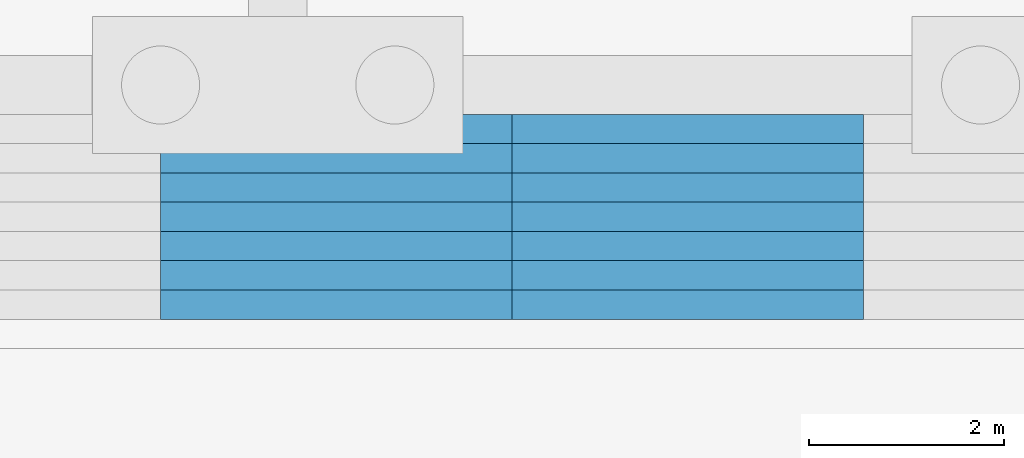
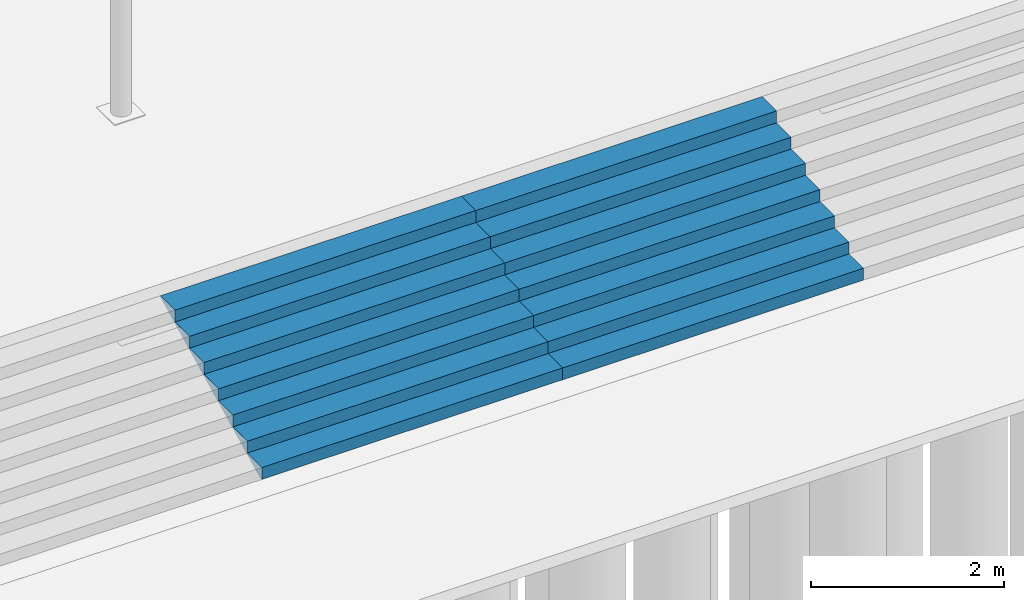
# One storey, part 76 of 129: 2 stair flights, 1 element without a shape of its own.
"""IFC4 building model written with IfcOpenShell, lengths in metres."""

import ifcopenshell
import ifcopenshell.guid

model = None  # the IFC model being written
_history = None  # IfcOwnerHistory: only IFC2X3 demands one
_inside = {}  # id of a spatial element -> (the spatial element, [elements in it])
_under = {}  # id of a project, library or spatial element -> (it, [spatial elements below it])
_declared = {}  # id of a project -> (the project, [libraries it declares])
_typed = {}  # id of a type object -> (the type object, [elements of that type])
_made_of = {}  # id of a material, layer set ... -> (it, [elements and type objects made of it])


def new_model(schema):
    """Start an empty IFC model of exactly this schema.

    Asked for "IFC4X3", IfcOpenShell would pick the latest addendum, in which some entities
    have other attributes; the version numbers below select the first issue.
    IFC2X3 requires an IfcOwnerHistory on every rooted entity: one is made here for all.
    """
    global model, _history
    if schema == "IFC4X3":
        model = ifcopenshell.file(schema_version=(4, 3, 0, 0))
    else:
        model = ifcopenshell.file(schema=schema)
    _inside.clear()
    _under.clear()
    _declared.clear()
    _typed.clear()
    _made_of.clear()
    _history = None
    if model.schema == "IFC2X3":
        org = make("IfcOrganization", Name="unknown")
        user = make(
            "IfcPersonAndOrganization",
            ThePerson=make("IfcPerson", FamilyName="unknown"),
            TheOrganization=org,
        )
        app = make(
            "IfcApplication",
            ApplicationDeveloper=org,
            Version="unknown",
            ApplicationFullName="unknown",
            ApplicationIdentifier="unknown",
        )
        _history = make(
            "IfcOwnerHistory",
            OwningUser=user,
            OwningApplication=app,
            ChangeAction="ADDED",
            CreationDate=0,
        )
    return model


def make(cls, **values):
    """One entity of the class cls with the attributes given. An attribute that is None is left unset."""
    return model.create_entity(
        cls, **{name: value for name, value in values.items() if value is not None}
    )


def rooted(cls, **values):
    """An entity with a GlobalId (a new one), such as an element, a storey or a relation."""
    return make(cls, GlobalId=ifcopenshell.guid.new(), OwnerHistory=_history, **values)


def si_unit(unit_type, name, prefix=None):
    """IfcSIUnit, for example si_unit("LENGTHUNIT", "METRE", prefix="MILLI")."""
    return make("IfcSIUnit", UnitType=unit_type, Prefix=prefix, Name=name)


def assignment(units):
    """IfcUnitAssignment: the units of a project."""
    return None if units is None else make("IfcUnitAssignment", Units=units)


def point(xyz):
    """IfcCartesianPoint."""
    return None if xyz is None else make("IfcCartesianPoint", Coordinates=xyz)


def direction(xyz):
    """IfcDirection."""
    return None if xyz is None else make("IfcDirection", DirectionRatios=xyz)


def frame(location, z_axis=None, x_axis=None):
    """IfcAxis2Placement3D, a coordinate frame: its origin and axes. An axis left out is left unset."""
    return make(
        "IfcAxis2Placement3D",
        Location=point(location),
        Axis=direction(z_axis),
        RefDirection=direction(x_axis),
    )


def origin():
    """The frame at (0, 0, 0) with its axes left unset."""
    return frame((0.0, 0.0, 0.0))


def place(relative_to, where):
    """IfcLocalPlacement: puts the frame where relative to a parent placement (None: the world)."""
    return make(
        "IfcLocalPlacement", PlacementRelTo=relative_to, RelativePlacement=where
    )


def context(
    kind, dimensions, precision=None, world=None, true_north=None, identifier=None
):
    """IfcGeometricRepresentationContext, for example the 3D "Model" context."""
    return make(
        "IfcGeometricRepresentationContext",
        ContextIdentifier=identifier,
        ContextType=kind,
        CoordinateSpaceDimension=dimensions,
        Precision=precision,
        WorldCoordinateSystem=world,
        TrueNorth=true_north,
    )


def subcontext(parent, identifier, kind, view, scale=None):
    """IfcGeometricRepresentationSubContext, for example "Body" below "Model"."""
    return make(
        "IfcGeometricRepresentationSubContext",
        ContextIdentifier=identifier,
        ContextType=kind,
        ParentContext=parent,
        TargetScale=scale,
        TargetView=view,
    )


def project(units=None, contexts=None):
    """IfcProject with its units and contexts."""
    return rooted(
        "IfcProject",
        Name="project",
        RepresentationContexts=contexts,
        UnitsInContext=assignment(units),
    )


def spatial(cls, under=None, at=None, **own):
    """A site, building, storey or space (cls), placed at a placement, below another one or the project."""
    s = rooted(cls, ObjectPlacement=at, **own)
    if under is not None:
        _under.setdefault(under.id(), (under, []))[1].append(s)
    return s


def faces_of(points, faces, orient=None, outer=None):
    """IfcFace entities. A face is a list of loops; a loop is a list of indices into points, from 0.

    orient and outer hold one flag for each loop. By default every Orientation is true, the
    first loop of a face is its IfcFaceOuterBound and the others are IfcFaceBound.
    """
    made = []
    for i, loops in enumerate(faces):
        bounds = []
        for j, loop in enumerate(loops):
            is_outer = j == 0 if outer is None else outer[i][j]
            bounds.append(
                make(
                    "IfcFaceOuterBound" if is_outer else "IfcFaceBound",
                    Bound=make("IfcPolyLoop", Polygon=[points[k] for k in loop]),
                    Orientation=True if orient is None else orient[i][j],
                )
            )
        made.append(make("IfcFace", Bounds=bounds))
    return made


def faceted_brep(points, faces, orient=None, outer=None, voids=None):
    """IfcFacetedBrep: a solid bounded by flat faces; with voids (closed shells), ...WithVoids."""
    shared = [point(p) for p in points]
    hull = make("IfcClosedShell", CfsFaces=faces_of(shared, faces, orient, outer))
    if voids is None:
        return make("IfcFacetedBrep", Outer=hull)
    return make(
        "IfcFacetedBrepWithVoids",
        Outer=hull,
        Voids=[
            make(cls, CfsFaces=faces_of(shared, fs, o, b)) for cls, fs, o, b in voids
        ],
    )


def shape(context_of_items, identifier, shape_type, items):
    """IfcShapeRepresentation: the items that make up one representation, for example the "Body"."""
    return make(
        "IfcShapeRepresentation",
        ContextOfItems=context_of_items,
        RepresentationIdentifier=identifier,
        RepresentationType=shape_type,
        Items=items,
    )


def material(Name=None, Category=None):
    """IfcMaterial."""
    return make("IfcMaterial", Name=Name, Category=Category)


def made_of(thing, what):
    """Note that an element or type object is made of a material, layer set ...; save() writes the relation."""
    if what is not None:
        _made_of.setdefault(what.id(), (what, []))[1].append(thing)
    return thing


def type_object(cls, material=None, **own):
    """A type object (cls), such as IfcWallType, which elements share."""
    return made_of(rooted(cls, **own), material)


def element(
    cls,
    number,
    at=None,
    inside=None,
    cuts=None,
    type_object=None,
    material=None,
    context=None,
    identifier="Body",
    shape_type=None,
    held_by="IfcProductDefinitionShape",
    body=None,
    shapes=None,
    **own,
):
    """One element of the class cls, such as IfcWall. Its Tag is "e" and its number.

    at: its placement. inside: the storey or other place that contains it. cuts: it is an
    opening in that element (IfcRelVoidsElement). A single representation is given by context,
    identifier, shape_type and body (its items); several are given by shapes. held_by: the class
    of the entity that holds the representations. save() writes the other relations.
    """
    e = rooted(cls, Tag="e%d" % number, ObjectPlacement=at, **own)
    if body is not None:
        shapes = [shape(context, identifier, shape_type, body)]
    if shapes is not None:
        e.Representation = make(held_by, Representations=shapes)
    if inside is not None:
        _inside.setdefault(inside.id(), (inside, []))[1].append(e)
    if cuts is not None:
        rooted(
            "IfcRelVoidsElement", RelatingBuildingElement=cuts, RelatedOpeningElement=e
        )
    if type_object is not None:
        _typed.setdefault(type_object.id(), (type_object, []))[1].append(e)
    return made_of(e, material)


def aggregate(whole, parts):
    """IfcRelAggregates: a whole, such as a stair, and the parts it consists of."""
    return rooted("IfcRelAggregates", RelatingObject=whole, RelatedObjects=parts)


def save(model, path):
    """Write the relations noted so far, then the file.

    IfcRelAggregates (storeys below a building ...), IfcRelContainedInSpatialStructure (elements
    in a storey), IfcRelDefinesByType, IfcRelAssociatesMaterial and IfcRelDeclares: one each for
    every whole, place, type object, material and project.
    """
    for whole, parts in _under.values():
        aggregate(whole, parts)
    for where, things in _inside.values():
        rooted(
            "IfcRelContainedInSpatialStructure",
            RelatedElements=things,
            RelatingStructure=where,
        )
    for kind, things in _typed.values():
        rooted("IfcRelDefinesByType", RelatedObjects=things, RelatingType=kind)
    for what, things in _made_of.values():
        rooted("IfcRelAssociatesMaterial", RelatedObjects=things, RelatingMaterial=what)
    for by, libraries in _declared.values():
        rooted("IfcRelDeclares", RelatingContext=by, RelatedDefinitions=libraries)
    model.write(path)


model = new_model("IFC4")

# Units and contexts
model_context = context("Model", 3, precision=1e-05, world=origin(), true_north=direction((0.0, 1.0)))
body_context = subcontext(model_context, "Body", "Model", "MODEL_VIEW")
ifc_project = project(units=[si_unit("LENGTHUNIT", "METRE"), si_unit("AREAUNIT", "SQUARE_METRE"), si_unit("VOLUMEUNIT", "CUBIC_METRE"), si_unit("PLANEANGLEUNIT", "RADIAN"), si_unit("MASSUNIT", "GRAM", prefix="KILO")], contexts=[model_context])

# Site, building, storey
site_placement = place(None, origin())
site = spatial("IfcSite", under=ifc_project, at=site_placement, CompositionType="ELEMENT")
building_placement = place(site_placement, origin())
building = spatial("IfcBuilding", under=site, at=building_placement, Name="Kiln Court Media Centre", CompositionType="ELEMENT")
storey_placement = place(building_placement, origin())
storey = spatial("IfcBuildingStorey", under=building, at=storey_placement, Name="L00", CompositionType="ELEMENT", Elevation=0.0)

# Stair, stair flights
ifc_material_1 = material(Name="Concrete C30/37", Category="concrete")
stair_type = type_object("IfcStairType", Name="Concrete C30/37 forecourt steps", PredefinedType="STRAIGHT_RUN_STAIR", material=ifc_material_1)
stair_placement = place(storey_placement, origin())
stair = element("IfcStair", 1, at=stair_placement, inside=storey, type_object=stair_type, Name="Concrete C30/37 forecourt steps", PredefinedType="STRAIGHT_RUN_STAIR")
ifc_material_2 = material(Name="Concrete C30/37", Category="concrete")
stair_flight_type = type_object("IfcStairFlightType", Name="Concrete C30/37 forecourt steps flight", PredefinedType="STRAIGHT", material=ifc_material_2)
stair_flight_1_placement = place(storey_placement, frame((76.199951171875, 16.199951171875, -1.199951171875), z_axis=(0.0, 0.0, 1.0), x_axis=(0.0, 1.0, 0.0)))
stair_flight_1 = element("IfcStairFlight", 2, at=stair_flight_1_placement, type_object=stair_flight_type, Name="ST-E1 flight 3", NumberOfRisers=8, NumberOfTreads=7, PredefinedType="STRAIGHT", RiserHeight=0.15, TreadLength=0.3, context=body_context, shape_type="Brep", body=[
    faceted_brep([(0.044677734375, -1.800048828125, 0.0), (2.10009765625, -1.800048828125, 1.027587890625), (2.10009765625, -1.800048828125, 1.050048828125), (1.800048828125, -1.800048828125, 1.050048828125), (1.800048828125, -1.800048828125, 0.89990234375), (1.5, -1.800048828125, 0.89990234375), (1.5, -1.800048828125, 0.75), (1.199951171875, -1.800048828125, 0.75), (1.199951171875, -1.800048828125, 0.60009765625), (0.89990234375, -1.800048828125, 0.60009765625), (0.89990234375, -1.800048828125, 0.449951171875), (0.60009765625, -1.800048828125, 0.449951171875), (0.60009765625, -1.800048828125, 0.300048828125), (0.300048828125, -1.800048828125, 0.300048828125), (0.300048828125, -1.800048828125, 0.14990234375), (0.0, -1.800048828125, 0.14990234375), (0.0, -1.800048828125, 0.0), (0.0, 1.800048828125, 0.0), (0.0, 1.800048828125, 0.14990234375), (0.300048828125, 1.800048828125, 0.14990234375), (0.300048828125, 1.800048828125, 0.300048828125), (0.60009765625, 1.800048828125, 0.300048828125), (0.60009765625, 1.800048828125, 0.449951171875), (0.89990234375, 1.800048828125, 0.449951171875), (0.89990234375, 1.800048828125, 0.60009765625), (1.199951171875, 1.800048828125, 0.60009765625), (1.199951171875, 1.800048828125, 0.75), (1.5, 1.800048828125, 0.75), (1.5, 1.800048828125, 0.89990234375), (1.800048828125, 1.800048828125, 0.89990234375), (1.800048828125, 1.800048828125, 1.050048828125), (2.10009765625, 1.800048828125, 1.050048828125), (2.10009765625, 1.800048828125, 1.027587890625), (0.044677734375, 1.800048828125, 0.0), (2.10009765625, 0.10009765625, 1.027587890625), (0.044677734375, 0.10009765625, 0.0), (2.10009765625, 0.080078125, 1.027587890625), (0.044677734375, 0.080078125, 0.0), (2.10009765625, 0.06005859375, 1.027587890625), (0.044677734375, 0.06005859375, 0.0), (2.10009765625, 0.0400390625, 1.027587890625), (0.044677734375, 0.0400390625, 0.0), (2.10009765625, 0.02001953125, 1.027587890625), (0.044677734375, 0.02001953125, 0.0), (2.10009765625, 0.0, 1.027587890625), (0.044677734375, 0.0, 0.0), (2.10009765625, -0.02001953125, 1.027587890625), (0.044677734375, -0.02001953125, 0.0), (2.10009765625, -0.0400390625, 1.027587890625), (0.044677734375, -0.0400390625, 0.0), (2.10009765625, -0.06005859375, 1.027587890625), (0.044677734375, -0.06005859375, 0.0), (2.10009765625, -0.080078125, 1.027587890625), (0.044677734375, -0.080078125, 0.0), (2.10009765625, -0.10009765625, 1.027587890625), (0.044677734375, -0.10009765625, 0.0), (2.10009765625, 0.10009765625, 1.050048828125), (2.10009765625, 0.080078125, 1.050048828125), (2.10009765625, 0.06005859375, 1.050048828125), (2.10009765625, 0.0400390625, 1.050048828125), (2.10009765625, 0.02001953125, 1.050048828125), (2.10009765625, 0.0, 1.050048828125), (2.10009765625, -0.02001953125, 1.050048828125), (2.10009765625, -0.0400390625, 1.050048828125), (2.10009765625, -0.06005859375, 1.050048828125), (2.10009765625, -0.080078125, 1.050048828125), (2.10009765625, -0.10009765625, 1.050048828125), (1.800048828125, 0.10009765625, 1.050048828125), (1.800048828125, 0.080078125, 1.050048828125), (1.800048828125, 0.06005859375, 1.050048828125), (1.800048828125, 0.0400390625, 1.050048828125), (1.800048828125, 0.02001953125, 1.050048828125), (1.800048828125, 0.0, 1.050048828125), (1.800048828125, -0.02001953125, 1.050048828125), (1.800048828125, -0.0400390625, 1.050048828125), (1.800048828125, -0.06005859375, 1.050048828125), (1.800048828125, -0.080078125, 1.050048828125), (1.800048828125, -0.10009765625, 1.050048828125), (1.800048828125, 0.10009765625, 0.89990234375), (1.800048828125, 0.080078125, 0.89990234375), (1.800048828125, 0.06005859375, 0.89990234375), (1.800048828125, 0.0400390625, 0.89990234375), (1.800048828125, 0.02001953125, 0.89990234375), (1.800048828125, 0.0, 0.89990234375), (1.800048828125, -0.02001953125, 0.89990234375), (1.800048828125, -0.0400390625, 0.89990234375), (1.800048828125, -0.06005859375, 0.89990234375), (1.800048828125, -0.080078125, 0.89990234375), (1.800048828125, -0.10009765625, 0.89990234375), (1.5, 0.10009765625, 0.89990234375), (1.5, 0.080078125, 0.89990234375), (1.5, 0.06005859375, 0.89990234375), (1.5, 0.0400390625, 0.89990234375), (1.5, 0.02001953125, 0.89990234375), (1.5, 0.0, 0.89990234375), (1.5, -0.02001953125, 0.89990234375), (1.5, -0.0400390625, 0.89990234375), (1.5, -0.06005859375, 0.89990234375), (1.5, -0.080078125, 0.89990234375), (1.5, -0.10009765625, 0.89990234375), (1.5, 0.10009765625, 0.75), (1.5, 0.080078125, 0.75), (1.5, 0.06005859375, 0.75), (1.5, 0.0400390625, 0.75), (1.5, 0.02001953125, 0.75), (1.5, 0.0, 0.75), (1.5, -0.02001953125, 0.75), (1.5, -0.0400390625, 0.75), (1.5, -0.06005859375, 0.75), (1.5, -0.080078125, 0.75), (1.5, -0.10009765625, 0.75), (1.199951171875, 0.10009765625, 0.75), (1.199951171875, 0.080078125, 0.75), (1.199951171875, 0.06005859375, 0.75), (1.199951171875, 0.0400390625, 0.75), (1.199951171875, 0.02001953125, 0.75), (1.199951171875, 0.0, 0.75), (1.199951171875, -0.02001953125, 0.75), (1.199951171875, -0.0400390625, 0.75), (1.199951171875, -0.06005859375, 0.75), (1.199951171875, -0.080078125, 0.75), (1.199951171875, -0.10009765625, 0.75), (1.199951171875, 0.10009765625, 0.60009765625), (1.199951171875, 0.080078125, 0.60009765625), (1.199951171875, 0.06005859375, 0.60009765625), (1.199951171875, 0.0400390625, 0.60009765625), (1.199951171875, 0.02001953125, 0.60009765625), (1.199951171875, 0.0, 0.60009765625), (1.199951171875, -0.02001953125, 0.60009765625), (1.199951171875, -0.0400390625, 0.60009765625), (1.199951171875, -0.06005859375, 0.60009765625), (1.199951171875, -0.080078125, 0.60009765625), (1.199951171875, -0.10009765625, 0.60009765625), (0.89990234375, 0.10009765625, 0.60009765625), (0.89990234375, 0.080078125, 0.60009765625), (0.89990234375, 0.06005859375, 0.60009765625), (0.89990234375, 0.0400390625, 0.60009765625), (0.89990234375, 0.02001953125, 0.60009765625), (0.89990234375, 0.0, 0.60009765625), (0.89990234375, -0.02001953125, 0.60009765625), (0.89990234375, -0.0400390625, 0.60009765625), (0.89990234375, -0.06005859375, 0.60009765625), (0.89990234375, -0.080078125, 0.60009765625), (0.89990234375, -0.10009765625, 0.60009765625), (0.89990234375, 0.10009765625, 0.449951171875), (0.89990234375, 0.080078125, 0.449951171875), (0.89990234375, 0.06005859375, 0.449951171875), (0.89990234375, 0.0400390625, 0.449951171875), (0.89990234375, 0.02001953125, 0.449951171875), (0.89990234375, 0.0, 0.449951171875), (0.89990234375, -0.02001953125, 0.449951171875), (0.89990234375, -0.0400390625, 0.449951171875), (0.89990234375, -0.06005859375, 0.449951171875), (0.89990234375, -0.080078125, 0.449951171875), (0.89990234375, -0.10009765625, 0.449951171875), (0.60009765625, 0.10009765625, 0.449951171875), (0.60009765625, 0.080078125, 0.449951171875), (0.60009765625, 0.06005859375, 0.449951171875), (0.60009765625, 0.0400390625, 0.449951171875), (0.60009765625, 0.02001953125, 0.449951171875), (0.60009765625, 0.0, 0.449951171875), (0.60009765625, -0.02001953125, 0.449951171875), (0.60009765625, -0.0400390625, 0.449951171875), (0.60009765625, -0.06005859375, 0.449951171875), (0.60009765625, -0.080078125, 0.449951171875), (0.60009765625, -0.10009765625, 0.449951171875), (0.60009765625, 0.10009765625, 0.300048828125), (0.60009765625, 0.080078125, 0.300048828125), (0.60009765625, 0.06005859375, 0.300048828125), (0.60009765625, 0.0400390625, 0.300048828125), (0.60009765625, 0.02001953125, 0.300048828125), (0.60009765625, 0.0, 0.300048828125), (0.60009765625, -0.02001953125, 0.300048828125), (0.60009765625, -0.0400390625, 0.300048828125), (0.60009765625, -0.06005859375, 0.300048828125), (0.60009765625, -0.080078125, 0.300048828125), (0.60009765625, -0.10009765625, 0.300048828125), (0.300048828125, 0.10009765625, 0.300048828125), (0.300048828125, 0.080078125, 0.300048828125), (0.300048828125, 0.06005859375, 0.300048828125), (0.300048828125, 0.0400390625, 0.300048828125), (0.300048828125, 0.02001953125, 0.300048828125), (0.300048828125, 0.0, 0.300048828125), (0.300048828125, -0.02001953125, 0.300048828125), (0.300048828125, -0.0400390625, 0.300048828125), (0.300048828125, -0.06005859375, 0.300048828125), (0.300048828125, -0.080078125, 0.300048828125), (0.300048828125, -0.10009765625, 0.300048828125), (0.300048828125, 0.10009765625, 0.14990234375), (0.300048828125, 0.080078125, 0.14990234375), (0.300048828125, 0.06005859375, 0.14990234375), (0.300048828125, 0.0400390625, 0.14990234375), (0.300048828125, 0.02001953125, 0.14990234375), (0.300048828125, 0.0, 0.14990234375), (0.300048828125, -0.02001953125, 0.14990234375), (0.300048828125, -0.0400390625, 0.14990234375), (0.300048828125, -0.06005859375, 0.14990234375), (0.300048828125, -0.080078125, 0.14990234375), (0.300048828125, -0.10009765625, 0.14990234375), (0.0, 0.10009765625, 0.14990234375), (0.0, 0.080078125, 0.14990234375), (0.0, 0.06005859375, 0.14990234375), (0.0, 0.0400390625, 0.14990234375), (0.0, 0.02001953125, 0.14990234375), (0.0, 0.0, 0.14990234375), (0.0, -0.02001953125, 0.14990234375), (0.0, -0.0400390625, 0.14990234375), (0.0, -0.06005859375, 0.14990234375), (0.0, -0.080078125, 0.14990234375), (0.0, -0.10009765625, 0.14990234375), (0.0, 0.10009765625, 0.0), (0.0, 0.080078125, 0.0), (0.0, 0.06005859375, 0.0), (0.0, 0.0400390625, 0.0), (0.0, 0.02001953125, 0.0), (0.0, 0.0, 0.0), (0.0, -0.02001953125, 0.0), (0.0, -0.0400390625, 0.0), (0.0, -0.06005859375, 0.0), (0.0, -0.080078125, 0.0), (0.0, -0.10009765625, 0.0)], [[[0, 1, 2, 3, 4, 5, 6, 7, 8, 9, 10, 11, 12, 13, 14, 15, 16]], [[17, 18, 19, 20, 21, 22, 23, 24, 25, 26, 27, 28, 29, 30, 31, 32, 33]], [[33, 32, 34, 35]], [[35, 34, 36, 37]], [[37, 36, 38, 39]], [[39, 38, 40, 41]], [[41, 40, 42, 43]], [[43, 42, 44, 45]], [[45, 44, 46, 47]], [[47, 46, 48, 49]], [[49, 48, 50, 51]], [[51, 50, 52, 53]], [[53, 52, 54, 55]], [[55, 54, 1, 0]], [[32, 31, 56, 34]], [[34, 56, 57, 36]], [[36, 57, 58, 38]], [[38, 58, 59, 40]], [[40, 59, 60, 42]], [[42, 60, 61, 44]], [[44, 61, 62, 46]], [[46, 62, 63, 48]], [[48, 63, 64, 50]], [[50, 64, 65, 52]], [[52, 65, 66, 54]], [[54, 66, 2, 1]], [[31, 30, 67, 56]], [[56, 67, 68, 57]], [[57, 68, 69, 58]], [[58, 69, 70, 59]], [[59, 70, 71, 60]], [[60, 71, 72, 61]], [[61, 72, 73, 62]], [[62, 73, 74, 63]], [[63, 74, 75, 64]], [[64, 75, 76, 65]], [[65, 76, 77, 66]], [[66, 77, 3, 2]], [[30, 29, 78, 67]], [[67, 78, 79, 68]], [[68, 79, 80, 69]], [[69, 80, 81, 70]], [[70, 81, 82, 71]], [[71, 82, 83, 72]], [[72, 83, 84, 73]], [[73, 84, 85, 74]], [[74, 85, 86, 75]], [[75, 86, 87, 76]], [[76, 87, 88, 77]], [[77, 88, 4, 3]], [[29, 28, 89, 78]], [[78, 89, 90, 79]], [[79, 90, 91, 80]], [[80, 91, 92, 81]], [[81, 92, 93, 82]], [[82, 93, 94, 83]], [[83, 94, 95, 84]], [[84, 95, 96, 85]], [[85, 96, 97, 86]], [[86, 97, 98, 87]], [[87, 98, 99, 88]], [[88, 99, 5, 4]], [[28, 27, 100, 89]], [[89, 100, 101, 90]], [[90, 101, 102, 91]], [[91, 102, 103, 92]], [[92, 103, 104, 93]], [[93, 104, 105, 94]], [[94, 105, 106, 95]], [[95, 106, 107, 96]], [[96, 107, 108, 97]], [[97, 108, 109, 98]], [[98, 109, 110, 99]], [[99, 110, 6, 5]], [[27, 26, 111, 100]], [[100, 111, 112, 101]], [[101, 112, 113, 102]], [[102, 113, 114, 103]], [[103, 114, 115, 104]], [[104, 115, 116, 105]], [[105, 116, 117, 106]], [[106, 117, 118, 107]], [[107, 118, 119, 108]], [[108, 119, 120, 109]], [[109, 120, 121, 110]], [[110, 121, 7, 6]], [[26, 25, 122, 111]], [[111, 122, 123, 112]], [[112, 123, 124, 113]], [[113, 124, 125, 114]], [[114, 125, 126, 115]], [[115, 126, 127, 116]], [[116, 127, 128, 117]], [[117, 128, 129, 118]], [[118, 129, 130, 119]], [[119, 130, 131, 120]], [[120, 131, 132, 121]], [[121, 132, 8, 7]], [[25, 24, 133, 122]], [[122, 133, 134, 123]], [[123, 134, 135, 124]], [[124, 135, 136, 125]], [[125, 136, 137, 126]], [[126, 137, 138, 127]], [[127, 138, 139, 128]], [[128, 139, 140, 129]], [[129, 140, 141, 130]], [[130, 141, 142, 131]], [[131, 142, 143, 132]], [[132, 143, 9, 8]], [[24, 23, 144, 133]], [[133, 144, 145, 134]], [[134, 145, 146, 135]], [[135, 146, 147, 136]], [[136, 147, 148, 137]], [[137, 148, 149, 138]], [[138, 149, 150, 139]], [[139, 150, 151, 140]], [[140, 151, 152, 141]], [[141, 152, 153, 142]], [[142, 153, 154, 143]], [[143, 154, 10, 9]], [[23, 22, 155, 144]], [[144, 155, 156, 145]], [[145, 156, 157, 146]], [[146, 157, 158, 147]], [[147, 158, 159, 148]], [[148, 159, 160, 149]], [[149, 160, 161, 150]], [[150, 161, 162, 151]], [[151, 162, 163, 152]], [[152, 163, 164, 153]], [[153, 164, 165, 154]], [[154, 165, 11, 10]], [[22, 21, 166, 155]], [[155, 166, 167, 156]], [[156, 167, 168, 157]], [[157, 168, 169, 158]], [[158, 169, 170, 159]], [[159, 170, 171, 160]], [[160, 171, 172, 161]], [[161, 172, 173, 162]], [[162, 173, 174, 163]], [[163, 174, 175, 164]], [[164, 175, 176, 165]], [[165, 176, 12, 11]], [[21, 20, 177, 166]], [[166, 177, 178, 167]], [[167, 178, 179, 168]], [[168, 179, 180, 169]], [[169, 180, 181, 170]], [[170, 181, 182, 171]], [[171, 182, 183, 172]], [[172, 183, 184, 173]], [[173, 184, 185, 174]], [[174, 185, 186, 175]], [[175, 186, 187, 176]], [[176, 187, 13, 12]], [[20, 19, 188, 177]], [[177, 188, 189, 178]], [[178, 189, 190, 179]], [[179, 190, 191, 180]], [[180, 191, 192, 181]], [[181, 192, 193, 182]], [[182, 193, 194, 183]], [[183, 194, 195, 184]], [[184, 195, 196, 185]], [[185, 196, 197, 186]], [[186, 197, 198, 187]], [[187, 198, 14, 13]], [[19, 18, 199, 188]], [[188, 199, 200, 189]], [[189, 200, 201, 190]], [[190, 201, 202, 191]], [[191, 202, 203, 192]], [[192, 203, 204, 193]], [[193, 204, 205, 194]], [[194, 205, 206, 195]], [[195, 206, 207, 196]], [[196, 207, 208, 197]], [[197, 208, 209, 198]], [[198, 209, 15, 14]], [[18, 17, 210, 199]], [[199, 210, 211, 200]], [[200, 211, 212, 201]], [[201, 212, 213, 202]], [[202, 213, 214, 203]], [[203, 214, 215, 204]], [[204, 215, 216, 205]], [[205, 216, 217, 206]], [[206, 217, 218, 207]], [[207, 218, 219, 208]], [[208, 219, 220, 209]], [[209, 220, 16, 15]], [[17, 33, 35, 210]], [[210, 35, 37, 211]], [[211, 37, 39, 212]], [[212, 39, 41, 213]], [[213, 41, 43, 214]], [[214, 43, 45, 215]], [[215, 45, 47, 216]], [[216, 47, 49, 217]], [[217, 49, 51, 218]], [[218, 51, 53, 219]], [[219, 53, 55, 220]], [[220, 55, 0, 16]]]),
])
stair_flight_2_placement = place(storey_placement, frame((79.800048828125, 16.199951171875, -1.199951171875), z_axis=(0.0, 0.0, 1.0), x_axis=(0.0, 1.0, 0.0)))
stair_flight_2 = element("IfcStairFlight", 3, at=stair_flight_2_placement, type_object=stair_flight_type, Name="ST-E1 flight 4", NumberOfRisers=8, NumberOfTreads=7, PredefinedType="STRAIGHT", RiserHeight=0.15, TreadLength=0.3, context=body_context, shape_type="Brep", body=[
    faceted_brep([(0.044677734375, -1.800048828125, 0.0), (2.10009765625, -1.800048828125, 1.027587890625), (2.10009765625, -1.800048828125, 1.050048828125), (1.800048828125, -1.800048828125, 1.050048828125), (1.800048828125, -1.800048828125, 0.89990234375), (1.5, -1.800048828125, 0.89990234375), (1.5, -1.800048828125, 0.75), (1.199951171875, -1.800048828125, 0.75), (1.199951171875, -1.800048828125, 0.60009765625), (0.89990234375, -1.800048828125, 0.60009765625), (0.89990234375, -1.800048828125, 0.449951171875), (0.60009765625, -1.800048828125, 0.449951171875), (0.60009765625, -1.800048828125, 0.300048828125), (0.300048828125, -1.800048828125, 0.300048828125), (0.300048828125, -1.800048828125, 0.14990234375), (0.0, -1.800048828125, 0.14990234375), (0.0, -1.800048828125, 0.0), (0.0, 1.800048828125, 0.0), (0.0, 1.800048828125, 0.14990234375), (0.300048828125, 1.800048828125, 0.14990234375), (0.300048828125, 1.800048828125, 0.300048828125), (0.60009765625, 1.800048828125, 0.300048828125), (0.60009765625, 1.800048828125, 0.449951171875), (0.89990234375, 1.800048828125, 0.449951171875), (0.89990234375, 1.800048828125, 0.60009765625), (1.199951171875, 1.800048828125, 0.60009765625), (1.199951171875, 1.800048828125, 0.75), (1.5, 1.800048828125, 0.75), (1.5, 1.800048828125, 0.89990234375), (1.800048828125, 1.800048828125, 0.89990234375), (1.800048828125, 1.800048828125, 1.050048828125), (2.10009765625, 1.800048828125, 1.050048828125), (2.10009765625, 1.800048828125, 1.027587890625), (0.044677734375, 1.800048828125, 0.0), (2.10009765625, 0.10009765625, 1.027587890625), (0.044677734375, 0.10009765625, 0.0), (2.10009765625, 0.080078125, 1.027587890625), (0.044677734375, 0.080078125, 0.0), (2.10009765625, 0.06005859375, 1.027587890625), (0.044677734375, 0.06005859375, 0.0), (2.10009765625, 0.0400390625, 1.027587890625), (0.044677734375, 0.0400390625, 0.0), (2.10009765625, 0.02001953125, 1.027587890625), (0.044677734375, 0.02001953125, 0.0), (2.10009765625, 0.0, 1.027587890625), (0.044677734375, 0.0, 0.0), (2.10009765625, -0.02001953125, 1.027587890625), (0.044677734375, -0.02001953125, 0.0), (2.10009765625, -0.0400390625, 1.027587890625), (0.044677734375, -0.0400390625, 0.0), (2.10009765625, -0.06005859375, 1.027587890625), (0.044677734375, -0.06005859375, 0.0), (2.10009765625, -0.080078125, 1.027587890625), (0.044677734375, -0.080078125, 0.0), (2.10009765625, -0.10009765625, 1.027587890625), (0.044677734375, -0.10009765625, 0.0), (2.10009765625, 0.10009765625, 1.050048828125), (2.10009765625, 0.080078125, 1.050048828125), (2.10009765625, 0.06005859375, 1.050048828125), (2.10009765625, 0.0400390625, 1.050048828125), (2.10009765625, 0.02001953125, 1.050048828125), (2.10009765625, 0.0, 1.050048828125), (2.10009765625, -0.02001953125, 1.050048828125), (2.10009765625, -0.0400390625, 1.050048828125), (2.10009765625, -0.06005859375, 1.050048828125), (2.10009765625, -0.080078125, 1.050048828125), (2.10009765625, -0.10009765625, 1.050048828125), (1.800048828125, 0.10009765625, 1.050048828125), (1.800048828125, 0.080078125, 1.050048828125), (1.800048828125, 0.06005859375, 1.050048828125), (1.800048828125, 0.0400390625, 1.050048828125), (1.800048828125, 0.02001953125, 1.050048828125), (1.800048828125, 0.0, 1.050048828125), (1.800048828125, -0.02001953125, 1.050048828125), (1.800048828125, -0.0400390625, 1.050048828125), (1.800048828125, -0.06005859375, 1.050048828125), (1.800048828125, -0.080078125, 1.050048828125), (1.800048828125, -0.10009765625, 1.050048828125), (1.800048828125, 0.10009765625, 0.89990234375), (1.800048828125, 0.080078125, 0.89990234375), (1.800048828125, 0.06005859375, 0.89990234375), (1.800048828125, 0.0400390625, 0.89990234375), (1.800048828125, 0.02001953125, 0.89990234375), (1.800048828125, 0.0, 0.89990234375), (1.800048828125, -0.02001953125, 0.89990234375), (1.800048828125, -0.0400390625, 0.89990234375), (1.800048828125, -0.06005859375, 0.89990234375), (1.800048828125, -0.080078125, 0.89990234375), (1.800048828125, -0.10009765625, 0.89990234375), (1.5, 0.10009765625, 0.89990234375), (1.5, 0.080078125, 0.89990234375), (1.5, 0.06005859375, 0.89990234375), (1.5, 0.0400390625, 0.89990234375), (1.5, 0.02001953125, 0.89990234375), (1.5, 0.0, 0.89990234375), (1.5, -0.02001953125, 0.89990234375), (1.5, -0.0400390625, 0.89990234375), (1.5, -0.06005859375, 0.89990234375), (1.5, -0.080078125, 0.89990234375), (1.5, -0.10009765625, 0.89990234375), (1.5, 0.10009765625, 0.75), (1.5, 0.080078125, 0.75), (1.5, 0.06005859375, 0.75), (1.5, 0.0400390625, 0.75), (1.5, 0.02001953125, 0.75), (1.5, 0.0, 0.75), (1.5, -0.02001953125, 0.75), (1.5, -0.0400390625, 0.75), (1.5, -0.06005859375, 0.75), (1.5, -0.080078125, 0.75), (1.5, -0.10009765625, 0.75), (1.199951171875, 0.10009765625, 0.75), (1.199951171875, 0.080078125, 0.75), (1.199951171875, 0.06005859375, 0.75), (1.199951171875, 0.0400390625, 0.75), (1.199951171875, 0.02001953125, 0.75), (1.199951171875, 0.0, 0.75), (1.199951171875, -0.02001953125, 0.75), (1.199951171875, -0.0400390625, 0.75), (1.199951171875, -0.06005859375, 0.75), (1.199951171875, -0.080078125, 0.75), (1.199951171875, -0.10009765625, 0.75), (1.199951171875, 0.10009765625, 0.60009765625), (1.199951171875, 0.080078125, 0.60009765625), (1.199951171875, 0.06005859375, 0.60009765625), (1.199951171875, 0.0400390625, 0.60009765625), (1.199951171875, 0.02001953125, 0.60009765625), (1.199951171875, 0.0, 0.60009765625), (1.199951171875, -0.02001953125, 0.60009765625), (1.199951171875, -0.0400390625, 0.60009765625), (1.199951171875, -0.06005859375, 0.60009765625), (1.199951171875, -0.080078125, 0.60009765625), (1.199951171875, -0.10009765625, 0.60009765625), (0.89990234375, 0.10009765625, 0.60009765625), (0.89990234375, 0.080078125, 0.60009765625), (0.89990234375, 0.06005859375, 0.60009765625), (0.89990234375, 0.0400390625, 0.60009765625), (0.89990234375, 0.02001953125, 0.60009765625), (0.89990234375, 0.0, 0.60009765625), (0.89990234375, -0.02001953125, 0.60009765625), (0.89990234375, -0.0400390625, 0.60009765625), (0.89990234375, -0.06005859375, 0.60009765625), (0.89990234375, -0.080078125, 0.60009765625), (0.89990234375, -0.10009765625, 0.60009765625), (0.89990234375, 0.10009765625, 0.449951171875), (0.89990234375, 0.080078125, 0.449951171875), (0.89990234375, 0.06005859375, 0.449951171875), (0.89990234375, 0.0400390625, 0.449951171875), (0.89990234375, 0.02001953125, 0.449951171875), (0.89990234375, 0.0, 0.449951171875), (0.89990234375, -0.02001953125, 0.449951171875), (0.89990234375, -0.0400390625, 0.449951171875), (0.89990234375, -0.06005859375, 0.449951171875), (0.89990234375, -0.080078125, 0.449951171875), (0.89990234375, -0.10009765625, 0.449951171875), (0.60009765625, 0.10009765625, 0.449951171875), (0.60009765625, 0.080078125, 0.449951171875), (0.60009765625, 0.06005859375, 0.449951171875), (0.60009765625, 0.0400390625, 0.449951171875), (0.60009765625, 0.02001953125, 0.449951171875), (0.60009765625, 0.0, 0.449951171875), (0.60009765625, -0.02001953125, 0.449951171875), (0.60009765625, -0.0400390625, 0.449951171875), (0.60009765625, -0.06005859375, 0.449951171875), (0.60009765625, -0.080078125, 0.449951171875), (0.60009765625, -0.10009765625, 0.449951171875), (0.60009765625, 0.10009765625, 0.300048828125), (0.60009765625, 0.080078125, 0.300048828125), (0.60009765625, 0.06005859375, 0.300048828125), (0.60009765625, 0.0400390625, 0.300048828125), (0.60009765625, 0.02001953125, 0.300048828125), (0.60009765625, 0.0, 0.300048828125), (0.60009765625, -0.02001953125, 0.300048828125), (0.60009765625, -0.0400390625, 0.300048828125), (0.60009765625, -0.06005859375, 0.300048828125), (0.60009765625, -0.080078125, 0.300048828125), (0.60009765625, -0.10009765625, 0.300048828125), (0.300048828125, 0.10009765625, 0.300048828125), (0.300048828125, 0.080078125, 0.300048828125), (0.300048828125, 0.06005859375, 0.300048828125), (0.300048828125, 0.0400390625, 0.300048828125), (0.300048828125, 0.02001953125, 0.300048828125), (0.300048828125, 0.0, 0.300048828125), (0.300048828125, -0.02001953125, 0.300048828125), (0.300048828125, -0.0400390625, 0.300048828125), (0.300048828125, -0.06005859375, 0.300048828125), (0.300048828125, -0.080078125, 0.300048828125), (0.300048828125, -0.10009765625, 0.300048828125), (0.300048828125, 0.10009765625, 0.14990234375), (0.300048828125, 0.080078125, 0.14990234375), (0.300048828125, 0.06005859375, 0.14990234375), (0.300048828125, 0.0400390625, 0.14990234375), (0.300048828125, 0.02001953125, 0.14990234375), (0.300048828125, 0.0, 0.14990234375), (0.300048828125, -0.02001953125, 0.14990234375), (0.300048828125, -0.0400390625, 0.14990234375), (0.300048828125, -0.06005859375, 0.14990234375), (0.300048828125, -0.080078125, 0.14990234375), (0.300048828125, -0.10009765625, 0.14990234375), (0.0, 0.10009765625, 0.14990234375), (0.0, 0.080078125, 0.14990234375), (0.0, 0.06005859375, 0.14990234375), (0.0, 0.0400390625, 0.14990234375), (0.0, 0.02001953125, 0.14990234375), (0.0, 0.0, 0.14990234375), (0.0, -0.02001953125, 0.14990234375), (0.0, -0.0400390625, 0.14990234375), (0.0, -0.06005859375, 0.14990234375), (0.0, -0.080078125, 0.14990234375), (0.0, -0.10009765625, 0.14990234375), (0.0, 0.10009765625, 0.0), (0.0, 0.080078125, 0.0), (0.0, 0.06005859375, 0.0), (0.0, 0.0400390625, 0.0), (0.0, 0.02001953125, 0.0), (0.0, 0.0, 0.0), (0.0, -0.02001953125, 0.0), (0.0, -0.0400390625, 0.0), (0.0, -0.06005859375, 0.0), (0.0, -0.080078125, 0.0), (0.0, -0.10009765625, 0.0)], [[[0, 1, 2, 3, 4, 5, 6, 7, 8, 9, 10, 11, 12, 13, 14, 15, 16]], [[17, 18, 19, 20, 21, 22, 23, 24, 25, 26, 27, 28, 29, 30, 31, 32, 33]], [[33, 32, 34, 35]], [[35, 34, 36, 37]], [[37, 36, 38, 39]], [[39, 38, 40, 41]], [[41, 40, 42, 43]], [[43, 42, 44, 45]], [[45, 44, 46, 47]], [[47, 46, 48, 49]], [[49, 48, 50, 51]], [[51, 50, 52, 53]], [[53, 52, 54, 55]], [[55, 54, 1, 0]], [[32, 31, 56, 34]], [[34, 56, 57, 36]], [[36, 57, 58, 38]], [[38, 58, 59, 40]], [[40, 59, 60, 42]], [[42, 60, 61, 44]], [[44, 61, 62, 46]], [[46, 62, 63, 48]], [[48, 63, 64, 50]], [[50, 64, 65, 52]], [[52, 65, 66, 54]], [[54, 66, 2, 1]], [[31, 30, 67, 56]], [[56, 67, 68, 57]], [[57, 68, 69, 58]], [[58, 69, 70, 59]], [[59, 70, 71, 60]], [[60, 71, 72, 61]], [[61, 72, 73, 62]], [[62, 73, 74, 63]], [[63, 74, 75, 64]], [[64, 75, 76, 65]], [[65, 76, 77, 66]], [[66, 77, 3, 2]], [[30, 29, 78, 67]], [[67, 78, 79, 68]], [[68, 79, 80, 69]], [[69, 80, 81, 70]], [[70, 81, 82, 71]], [[71, 82, 83, 72]], [[72, 83, 84, 73]], [[73, 84, 85, 74]], [[74, 85, 86, 75]], [[75, 86, 87, 76]], [[76, 87, 88, 77]], [[77, 88, 4, 3]], [[29, 28, 89, 78]], [[78, 89, 90, 79]], [[79, 90, 91, 80]], [[80, 91, 92, 81]], [[81, 92, 93, 82]], [[82, 93, 94, 83]], [[83, 94, 95, 84]], [[84, 95, 96, 85]], [[85, 96, 97, 86]], [[86, 97, 98, 87]], [[87, 98, 99, 88]], [[88, 99, 5, 4]], [[28, 27, 100, 89]], [[89, 100, 101, 90]], [[90, 101, 102, 91]], [[91, 102, 103, 92]], [[92, 103, 104, 93]], [[93, 104, 105, 94]], [[94, 105, 106, 95]], [[95, 106, 107, 96]], [[96, 107, 108, 97]], [[97, 108, 109, 98]], [[98, 109, 110, 99]], [[99, 110, 6, 5]], [[27, 26, 111, 100]], [[100, 111, 112, 101]], [[101, 112, 113, 102]], [[102, 113, 114, 103]], [[103, 114, 115, 104]], [[104, 115, 116, 105]], [[105, 116, 117, 106]], [[106, 117, 118, 107]], [[107, 118, 119, 108]], [[108, 119, 120, 109]], [[109, 120, 121, 110]], [[110, 121, 7, 6]], [[26, 25, 122, 111]], [[111, 122, 123, 112]], [[112, 123, 124, 113]], [[113, 124, 125, 114]], [[114, 125, 126, 115]], [[115, 126, 127, 116]], [[116, 127, 128, 117]], [[117, 128, 129, 118]], [[118, 129, 130, 119]], [[119, 130, 131, 120]], [[120, 131, 132, 121]], [[121, 132, 8, 7]], [[25, 24, 133, 122]], [[122, 133, 134, 123]], [[123, 134, 135, 124]], [[124, 135, 136, 125]], [[125, 136, 137, 126]], [[126, 137, 138, 127]], [[127, 138, 139, 128]], [[128, 139, 140, 129]], [[129, 140, 141, 130]], [[130, 141, 142, 131]], [[131, 142, 143, 132]], [[132, 143, 9, 8]], [[24, 23, 144, 133]], [[133, 144, 145, 134]], [[134, 145, 146, 135]], [[135, 146, 147, 136]], [[136, 147, 148, 137]], [[137, 148, 149, 138]], [[138, 149, 150, 139]], [[139, 150, 151, 140]], [[140, 151, 152, 141]], [[141, 152, 153, 142]], [[142, 153, 154, 143]], [[143, 154, 10, 9]], [[23, 22, 155, 144]], [[144, 155, 156, 145]], [[145, 156, 157, 146]], [[146, 157, 158, 147]], [[147, 158, 159, 148]], [[148, 159, 160, 149]], [[149, 160, 161, 150]], [[150, 161, 162, 151]], [[151, 162, 163, 152]], [[152, 163, 164, 153]], [[153, 164, 165, 154]], [[154, 165, 11, 10]], [[22, 21, 166, 155]], [[155, 166, 167, 156]], [[156, 167, 168, 157]], [[157, 168, 169, 158]], [[158, 169, 170, 159]], [[159, 170, 171, 160]], [[160, 171, 172, 161]], [[161, 172, 173, 162]], [[162, 173, 174, 163]], [[163, 174, 175, 164]], [[164, 175, 176, 165]], [[165, 176, 12, 11]], [[21, 20, 177, 166]], [[166, 177, 178, 167]], [[167, 178, 179, 168]], [[168, 179, 180, 169]], [[169, 180, 181, 170]], [[170, 181, 182, 171]], [[171, 182, 183, 172]], [[172, 183, 184, 173]], [[173, 184, 185, 174]], [[174, 185, 186, 175]], [[175, 186, 187, 176]], [[176, 187, 13, 12]], [[20, 19, 188, 177]], [[177, 188, 189, 178]], [[178, 189, 190, 179]], [[179, 190, 191, 180]], [[180, 191, 192, 181]], [[181, 192, 193, 182]], [[182, 193, 194, 183]], [[183, 194, 195, 184]], [[184, 195, 196, 185]], [[185, 196, 197, 186]], [[186, 197, 198, 187]], [[187, 198, 14, 13]], [[19, 18, 199, 188]], [[188, 199, 200, 189]], [[189, 200, 201, 190]], [[190, 201, 202, 191]], [[191, 202, 203, 192]], [[192, 203, 204, 193]], [[193, 204, 205, 194]], [[194, 205, 206, 195]], [[195, 206, 207, 196]], [[196, 207, 208, 197]], [[197, 208, 209, 198]], [[198, 209, 15, 14]], [[18, 17, 210, 199]], [[199, 210, 211, 200]], [[200, 211, 212, 201]], [[201, 212, 213, 202]], [[202, 213, 214, 203]], [[203, 214, 215, 204]], [[204, 215, 216, 205]], [[205, 216, 217, 206]], [[206, 217, 218, 207]], [[207, 218, 219, 208]], [[208, 219, 220, 209]], [[209, 220, 16, 15]], [[17, 33, 35, 210]], [[210, 35, 37, 211]], [[211, 37, 39, 212]], [[212, 39, 41, 213]], [[213, 41, 43, 214]], [[214, 43, 45, 215]], [[215, 45, 47, 216]], [[216, 47, 49, 217]], [[217, 49, 51, 218]], [[218, 51, 53, 219]], [[219, 53, 55, 220]], [[220, 55, 0, 16]]]),
])
aggregate(stair, [stair_flight_1, stair_flight_2])

save(model, "model.ifc")
